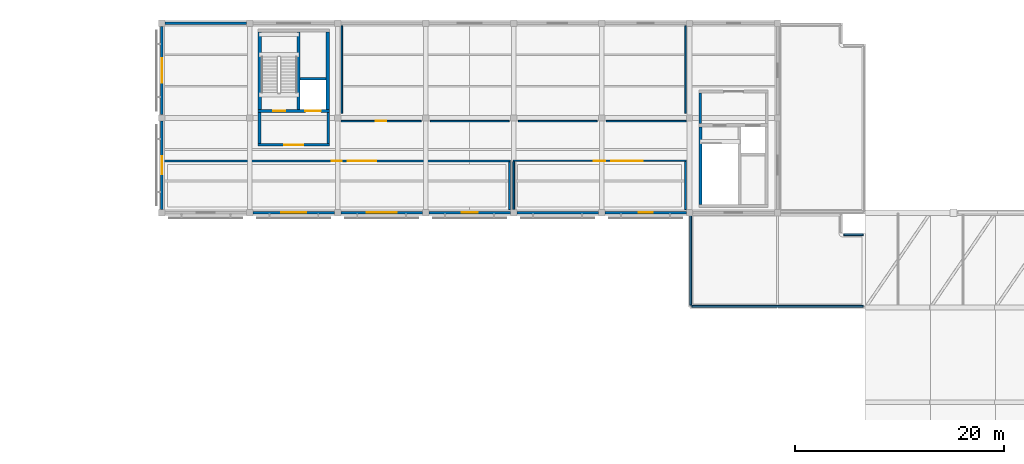
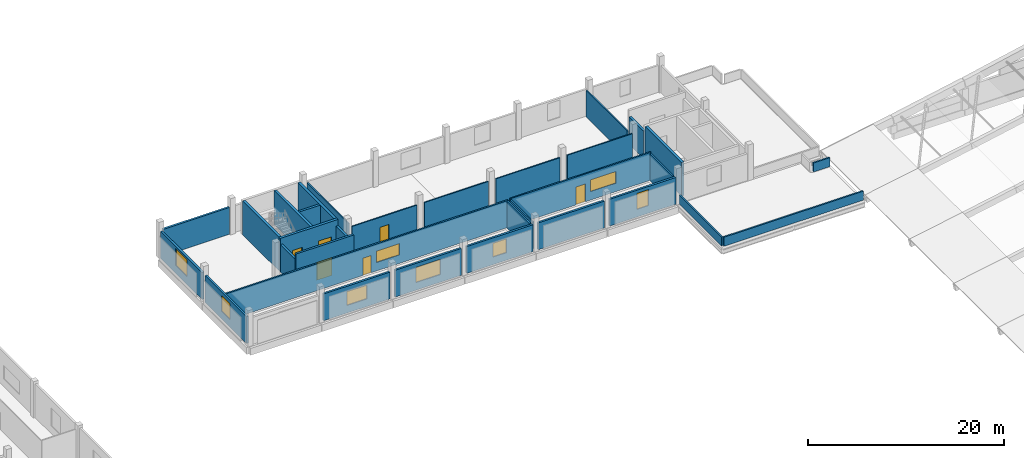
# One storey, part 18 of 34: 32 walls, 8 windows, 6 doors, 14 openings.
"""IFC4 building model written with IfcOpenShell, lengths in metres."""

from ifc_helpers import new_model, si_unit, direction, frame, frame_2d, origin, place, context, subcontext, project, spatial, rectangle, extrude, material, layer, layer_set, type_object, element, fill, save


model = new_model("IFC4")

# Units and contexts
model_context = context("Model", 3, precision=1e-05, world=origin(), true_north=direction((0.0, 1.0)))
body_context = subcontext(model_context, "Body", "Model", "MODEL_VIEW")
ifc_project = project(units=[si_unit("LENGTHUNIT", "METRE"), si_unit("AREAUNIT", "SQUARE_METRE"), si_unit("VOLUMEUNIT", "CUBIC_METRE"), si_unit("PLANEANGLEUNIT", "RADIAN"), si_unit("MASSUNIT", "GRAM", prefix="KILO")], contexts=[model_context])

# Site, building, storey
site_placement = place(None, origin())
site = spatial("IfcSite", under=ifc_project, at=site_placement, CompositionType="ELEMENT")
building_placement = place(site_placement, origin())
building = spatial("IfcBuilding", under=site, at=building_placement, Name="Khurvash Pelagic Aquarium", CompositionType="ELEMENT")
storey_placement = place(building_placement, frame((0.0, 0.0, 15.60009765625)))
storey = spatial("IfcBuildingStorey", under=building, at=storey_placement, Name="L03", CompositionType="ELEMENT", Elevation=15.60009765625)

# Wall, opening, window
ifc_material_1 = material(Name="Glass-fibre reinforced concrete C40/50", Category="concrete")
ifc_layer_1 = layer(ifc_material_1, 0.239990234375)
ifc_layer_set_1 = layer_set([ifc_layer_1], Name="Glass-fibre reinforced concrete C40/50")
wall_type_1 = type_object("IfcWallType", Name="EW-240", PredefinedType="STANDARD", material=ifc_layer_set_1)
wall_1_placement = place(storey_placement, frame((58.800048828125, 101.844970703125, 0.0), z_axis=(0.0, 0.0, 1.0), x_axis=(0.0, -1.0, 0.0)))
wall_1 = element("IfcWall", 1, at=wall_1_placement, inside=storey, type_object=wall_type_1, Name="L03 Exterior Architectural Facade Wall EW-240 0145", PredefinedType="STANDARD", context=body_context, shape_type="SweptSolid", body=[
    extrude(rectangle(XDim=8.43994140625, YDim=0.239990234375, at=frame_2d((4.219970703125, 0.0))), origin(), (0.0, 0.0, 1.0), 3.349853515625),
])
opening_1_placement = place(wall_1_placement, frame((3.070068359375, 0.0, 0.949951171875)))
opening_1 = element("IfcOpeningElement", 2, at=opening_1_placement, cuts=wall_1, Name="Opening WN-20", PredefinedType="OPENING", context=body_context, shape_type="SweptSolid", body=[
    extrude(rectangle(XDim=2.300048828125, YDim=2.14990234375, at=frame_2d((1.14990234375, 1.074951171875))), frame((0.0, 0.1298828125, 0.0), z_axis=(0.0, -1.0, 0.0), x_axis=(1.0, 0.0, 0.0)), (0.0, 0.0, 1.0), 0.260009765625),
])
ifc_material_2 = material(Name="Thermally broken aluminium and low-E glass", Category="aluminium")
window_type_1 = type_object("IfcWindowType", Name="WN-20", PartitioningType="SINGLE_PANEL", PredefinedType="WINDOW", material=ifc_material_2)
window_1_placement = place(opening_1_placement, origin())
window_1 = element("IfcWindow", 3, at=window_1_placement, inside=storey, type_object=window_type_1, Name="L03 Facade Window WN-20 0093", OverallHeight=2.14990234375, OverallWidth=2.300048828125, PartitioningType="SINGLE_PANEL", PredefinedType="WINDOW", context=body_context, shape_type="SweptSolid", body=[
    extrude(rectangle(XDim=2.300048828125, YDim=2.14990234375, at=frame_2d((1.14990234375, 1.074951171875))), frame((0.0, 0.030029296875, 0.0), z_axis=(0.0, -1.0, 0.0), x_axis=(1.0, 0.0, 0.0)), (0.0, 0.0, 1.0), 0.06005859375),
])
fill(opening_1, window_1)

wall_2_placement = place(storey_placement, frame((58.800048828125, 92.794921875, 0.0), z_axis=(0.0, 0.0, 1.0), x_axis=(0.0, -1.0, 0.0)))
wall_2 = element("IfcWall", 4, at=wall_2_placement, inside=storey, type_object=wall_type_1, Name="L03 Exterior Architectural Facade Wall EW-240 0146", PredefinedType="STANDARD", context=body_context, shape_type="SweptSolid", body=[
    extrude(rectangle(XDim=8.43994140625, YDim=0.239990234375, at=frame_2d((4.219970703125, 0.0))), origin(), (0.0, 0.0, 1.0), 3.349853515625),
])
opening_2_placement = place(wall_2_placement, frame((3.344970703125, 0.0, 0.949951171875)))
opening_2 = element("IfcOpeningElement", 5, at=opening_2_placement, cuts=wall_2, Name="Opening WN-22", PredefinedType="OPENING", context=body_context, shape_type="SweptSolid", body=[
    extrude(rectangle(XDim=1.75, YDim=1.949951171875, at=frame_2d((0.875, 0.97509765625))), frame((0.0, 0.1298828125, 0.0), z_axis=(0.0, -1.0, 0.0), x_axis=(1.0, 0.0, 0.0)), (0.0, 0.0, 1.0), 0.260009765625),
])
window_type_2 = type_object("IfcWindowType", Name="WN-22", PartitioningType="SINGLE_PANEL", PredefinedType="WINDOW", material=ifc_material_2)
window_2_placement = place(opening_2_placement, origin())
window_2 = element("IfcWindow", 6, at=window_2_placement, inside=storey, type_object=window_type_2, Name="L03 Facade Window WN-22 0094", OverallHeight=1.949951171875, OverallWidth=1.75, PartitioningType="SINGLE_PANEL", PredefinedType="WINDOW", context=body_context, shape_type="SweptSolid", body=[
    extrude(rectangle(XDim=1.75, YDim=1.949951171875, at=frame_2d((0.875, 0.97509765625))), frame((0.0, 0.030029296875, 0.0), z_axis=(0.0, -1.0, 0.0), x_axis=(1.0, 0.0, 0.0)), (0.0, 0.0, 1.0), 0.06005859375),
])
fill(opening_2, window_2)

wall_3_placement = place(storey_placement, frame((67.5048828125, 84.050048828125, 0.0), z_axis=(0.0, 0.0, 1.0), x_axis=(1.0, 0.0, 0.0)))
wall_3 = element("IfcWall", 7, at=wall_3_placement, inside=storey, type_object=wall_type_1, Name="L03 Exterior Architectural Facade Wall EW-240 0148", PredefinedType="STANDARD", context=body_context, shape_type="SweptSolid", body=[
    extrude(rectangle(XDim=7.7900390625, YDim=0.239990234375, at=frame_2d((3.89501953125, 0.0))), origin(), (0.0, 0.0, 1.0), 3.329833984375),
])
opening_3_placement = place(wall_3_placement, frame((2.719970703125, 0.0, 0.949951171875)))
opening_3 = element("IfcOpeningElement", 8, at=opening_3_placement, cuts=wall_3, Name="Opening WN-24", PredefinedType="OPENING", context=body_context, shape_type="SweptSolid", body=[
    extrude(rectangle(XDim=2.35009765625, YDim=1.699951171875, at=frame_2d((1.175048828125, 0.85009765625))), frame((0.0, 0.1298828125, 0.0), z_axis=(0.0, -1.0, 0.0), x_axis=(1.0, 0.0, 0.0)), (0.0, 0.0, 1.0), 0.260009765625),
])
window_type_3 = type_object("IfcWindowType", Name="WN-24", PartitioningType="SINGLE_PANEL", PredefinedType="WINDOW", material=ifc_material_2)
window_3_placement = place(opening_3_placement, origin())
window_3 = element("IfcWindow", 9, at=window_3_placement, inside=storey, type_object=window_type_3, Name="L03 Facade Window WN-24 0096", OverallHeight=1.699951171875, OverallWidth=2.35009765625, PartitioningType="SINGLE_PANEL", PredefinedType="WINDOW", context=body_context, shape_type="SweptSolid", body=[
    extrude(rectangle(XDim=2.35009765625, YDim=1.699951171875, at=frame_2d((1.175048828125, 0.85009765625))), frame((0.0, 0.030029296875, 0.0), z_axis=(0.0, -1.0, 0.0), x_axis=(1.0, 0.0, 0.0)), (0.0, 0.0, 1.0), 0.06005859375),
])
fill(opening_3, window_3)

wall_4_placement = place(storey_placement, frame((75.905029296875, 84.050048828125, 0.0), z_axis=(0.0, 0.0, 1.0), x_axis=(1.0, 0.0, 0.0)))
wall_4 = element("IfcWall", 10, at=wall_4_placement, inside=storey, type_object=wall_type_1, Name="L03 Exterior Architectural Facade Wall EW-240 0149", PredefinedType="STANDARD", context=body_context, shape_type="SweptSolid", body=[
    extrude(rectangle(XDim=7.7900390625, YDim=0.239990234375, at=frame_2d((3.89501953125, 0.0))), origin(), (0.0, 0.0, 1.0), 3.329833984375),
])
opening_4_placement = place(wall_4_placement, frame((2.445068359375, 0.0, 0.949951171875)))
opening_4 = element("IfcOpeningElement", 11, at=opening_4_placement, cuts=wall_4, Name="Opening WN-26", PredefinedType="OPENING", context=body_context, shape_type="SweptSolid", body=[
    extrude(rectangle(XDim=2.89990234375, YDim=1.89990234375, at=frame_2d((1.449951171875, 0.949951171875))), frame((0.0, 0.1298828125, 0.0), z_axis=(0.0, -1.0, 0.0), x_axis=(1.0, 0.0, 0.0)), (0.0, 0.0, 1.0), 0.260009765625),
])
window_type_4 = type_object("IfcWindowType", Name="WN-26", PartitioningType="SINGLE_PANEL", PredefinedType="WINDOW", material=ifc_material_2)
window_4_placement = place(opening_4_placement, origin())
window_4 = element("IfcWindow", 12, at=window_4_placement, inside=storey, type_object=window_type_4, Name="L03 Facade Window WN-26 0097", OverallHeight=1.89990234375, OverallWidth=2.89990234375, PartitioningType="SINGLE_PANEL", PredefinedType="WINDOW", context=body_context, shape_type="SweptSolid", body=[
    extrude(rectangle(XDim=2.89990234375, YDim=1.89990234375, at=frame_2d((1.449951171875, 0.949951171875))), frame((0.0, 0.030029296875, 0.0), z_axis=(0.0, -1.0, 0.0), x_axis=(1.0, 0.0, 0.0)), (0.0, 0.0, 1.0), 0.06005859375),
])
fill(opening_4, window_4)

wall_5_placement = place(storey_placement, frame((84.304931640625, 84.050048828125, 0.0), z_axis=(0.0, 0.0, 1.0), x_axis=(1.0, 0.0, 0.0)))
wall_5 = element("IfcWall", 13, at=wall_5_placement, inside=storey, type_object=wall_type_1, Name="L03 Exterior Architectural Facade Wall EW-240 0150", PredefinedType="STANDARD", context=body_context, shape_type="SweptSolid", body=[
    extrude(rectangle(XDim=7.7900390625, YDim=0.239990234375, at=frame_2d((3.89501953125, 0.0))), origin(), (0.0, 0.0, 1.0), 3.329833984375),
])
opening_5_placement = place(wall_5_placement, frame((3.1201171875, 0.0, 0.949951171875)))
opening_5 = element("IfcOpeningElement", 14, at=opening_5_placement, cuts=wall_5, Name="Opening WN-28", PredefinedType="OPENING", context=body_context, shape_type="SweptSolid", body=[
    extrude(rectangle(XDim=1.550048828125, YDim=1.699951171875, at=frame_2d((0.77490234375, 0.85009765625))), frame((0.0, 0.1298828125, 0.0), z_axis=(0.0, -1.0, 0.0), x_axis=(1.0, 0.0, 0.0)), (0.0, 0.0, 1.0), 0.260009765625),
])
window_type_5 = type_object("IfcWindowType", Name="WN-28", PartitioningType="SINGLE_PANEL", PredefinedType="WINDOW", material=ifc_material_2)
window_5_placement = place(opening_5_placement, origin())
window_5 = element("IfcWindow", 15, at=window_5_placement, inside=storey, type_object=window_type_5, Name="L03 Facade Window WN-28 0098", OverallHeight=1.699951171875, OverallWidth=1.550048828125, PartitioningType="SINGLE_PANEL", PredefinedType="WINDOW", context=body_context, shape_type="SweptSolid", body=[
    extrude(rectangle(XDim=1.550048828125, YDim=1.699951171875, at=frame_2d((0.77490234375, 0.85009765625))), frame((0.0, 0.030029296875, 0.0), z_axis=(0.0, -1.0, 0.0), x_axis=(1.0, 0.0, 0.0)), (0.0, 0.0, 1.0), 0.06005859375),
])
fill(opening_5, window_5)

# Wall
wall_6_placement = place(storey_placement, frame((92.705078125, 84.050048828125, 0.0), z_axis=(0.0, 0.0, 1.0), x_axis=(1.0, 0.0, 0.0)))
element("IfcWall", 16, at=wall_6_placement, inside=storey, type_object=wall_type_1, Name="L03 Exterior Architectural Facade Wall EW-240 0151", PredefinedType="STANDARD", context=body_context, shape_type="SweptSolid", body=[
    extrude(rectangle(XDim=7.7900390625, YDim=0.239990234375, at=frame_2d((3.89501953125, 0.0))), origin(), (0.0, 0.0, 1.0), 3.329833984375),
])

# Wall, opening, window
wall_7_placement = place(storey_placement, frame((101.10498046875, 84.050048828125, 0.0), z_axis=(0.0, 0.0, 1.0), x_axis=(1.0, 0.0, 0.0)))
wall_7 = element("IfcWall", 17, at=wall_7_placement, inside=storey, type_object=wall_type_1, Name="L03 Exterior Architectural Facade Wall EW-240 0152", PredefinedType="STANDARD", context=body_context, shape_type="SweptSolid", body=[
    extrude(rectangle(XDim=7.7900390625, YDim=0.239990234375, at=frame_2d((3.89501953125, 0.0))), origin(), (0.0, 0.0, 1.0), 3.329833984375),
])
opening_6_placement = place(wall_7_placement, frame((3.235107421875, 0.0, 0.949951171875)))
opening_6 = element("IfcOpeningElement", 18, at=opening_6_placement, cuts=wall_7, Name="Opening WN-32", PredefinedType="OPENING", context=body_context, shape_type="SweptSolid", body=[
    extrude(rectangle(XDim=1.320068359375, YDim=2.0, at=frame_2d((0.66015625, 1.0))), frame((0.0, 0.1298828125, 0.0), z_axis=(0.0, -1.0, 0.0), x_axis=(1.0, 0.0, 0.0)), (0.0, 0.0, 1.0), 0.260009765625),
])
window_type_6 = type_object("IfcWindowType", Name="WN-32", PartitioningType="SINGLE_PANEL", PredefinedType="WINDOW", material=ifc_material_2)
window_6_placement = place(opening_6_placement, origin())
window_6 = element("IfcWindow", 19, at=window_6_placement, inside=storey, type_object=window_type_6, Name="L03 Facade Window WN-32 0099", OverallHeight=2.0, OverallWidth=1.320068359375, PartitioningType="SINGLE_PANEL", PredefinedType="WINDOW", context=body_context, shape_type="SweptSolid", body=[
    extrude(rectangle(XDim=1.320068359375, YDim=2.0, at=frame_2d((0.66015625, 1.0))), frame((0.0, 0.030029296875, 0.0), z_axis=(0.0, -1.0, 0.0), x_axis=(1.0, 0.0, 0.0)), (0.0, 0.0, 1.0), 0.06005859375),
])
fill(opening_6, window_6)

# Walls
wall_8_placement = place(storey_placement, frame((66.89501953125, 102.14990234375, 0.0), z_axis=(0.0, 0.0, 1.0), x_axis=(-1.0, 0.0, 0.0)))
element("IfcWall", 20, at=wall_8_placement, inside=storey, type_object=wall_type_1, Name="L03 Exterior Architectural Facade Wall EW-240 0162", PredefinedType="STANDARD", context=body_context, shape_type="SweptSolid", body=[
    extrude(rectangle(XDim=7.7900390625, YDim=0.239990234375, at=frame_2d((3.89501953125, 0.0))), origin(), (0.0, 0.0, 1.0), 3.329833984375),
])
ifc_material_3 = material(Name="Precast concrete C40/50", Category="concrete")
ifc_layer_2 = layer(ifc_material_3, 0.179931640625)
ifc_layer_set_2 = layer_set([ifc_layer_2], Name="Precast concrete C40/50")
wall_type_2 = type_object("IfcWallType", Name="PP-180", PredefinedType="PARAPET", material=ifc_layer_set_2)
wall_9_placement = place(storey_placement, frame((125.800048828125, 75.10009765625, 0.0), z_axis=(0.0, 0.0, 1.0), x_axis=(-1.0, 0.0, 0.0)))
element("IfcWall", 21, at=wall_9_placement, inside=storey, type_object=wall_type_2, Name="L03 Roof Perimeter Parapet Wall PP-180", PredefinedType="PARAPET", context=body_context, shape_type="SweptSolid", body=[
    extrude(rectangle(XDim=16.400146484375, YDim=0.179931640625, at=frame_2d((8.2001953125, 0.0))), origin(), (0.0, 0.0, 1.0), 1.119873046875),
])
wall_10_placement = place(storey_placement, frame((109.300048828125, 75.199951171875, 0.0), z_axis=(0.0, 0.0, 1.0), x_axis=(0.0, 1.0, 0.0)))
element("IfcWall", 22, at=wall_10_placement, inside=storey, type_object=wall_type_2, Name="L03 Roof Perimeter Parapet Wall PP-180", PredefinedType="PARAPET", context=body_context, shape_type="SweptSolid", body=[
    extrude(rectangle(XDim=8.650146484375, YDim=0.179931640625, at=frame_2d((4.3251953125, 0.0))), origin(), (0.0, 0.0, 1.0), 1.119873046875),
])
wall_11_placement = place(storey_placement, frame((123.89990234375, 81.949951171875, 0.0), z_axis=(0.0, 0.0, 1.0), x_axis=(1.0, 0.0, 0.0)))
element("IfcWall", 23, at=wall_11_placement, inside=storey, type_object=wall_type_2, Name="L03 Roof Perimeter Parapet Wall PP-180", PredefinedType="PARAPET", context=body_context, shape_type="SweptSolid", body=[
    extrude(rectangle(XDim=1.900146484375, YDim=0.179931640625, at=frame_2d((0.9501953125, 0.0))), origin(), (0.0, 0.0, 1.0), 1.119873046875),
])

# Wall, opening, door
ifc_material_4 = material(Name="Moisture-resistant gypsum and steel stud", Category="steel")
ifc_layer_3 = layer(ifc_material_4, 0.139892578125)
ifc_layer_set_3 = layer_set([ifc_layer_3], Name="Moisture-resistant gypsum and steel stud")
wall_type_3 = type_object("IfcWallType", Name="PW-140", PredefinedType="PARTITIONING", material=ifc_layer_set_3)
wall_12_placement = place(storey_placement, frame((75.929931640625, 92.800048828125, 0.0), z_axis=(0.0, 0.0, 1.0), x_axis=(1.0, 0.0, 0.0)))
wall_12 = element("IfcWall", 24, at=wall_12_placement, inside=storey, type_object=wall_type_3, Name="L03 Microplastics and Marine Toxicology Lab Partition Wall PW-140", PredefinedType="PARTITIONING", context=body_context, shape_type="SweptSolid", body=[
    extrude(rectangle(XDim=7.630126953125, YDim=0.139892578125, at=frame_2d((3.81494140625, 0.0))), origin(), (0.0, 0.0, 1.0), 3.429931640625),
])
opening_7_placement = place(wall_12_placement, frame((3.304931640625, 0.0, 0.0)))
opening_7 = element("IfcOpeningElement", 25, at=opening_7_placement, cuts=wall_12, Name="Opening ID-27", PredefinedType="OPENING", context=body_context, shape_type="SweptSolid", body=[
    extrude(rectangle(XDim=1.02001953125, YDim=2.179931640625, at=frame_2d((0.510009765625, 1.08984375))), frame((0.0, 0.080078125, 0.0), z_axis=(0.0, -1.0, 0.0), x_axis=(1.0, 0.0, 0.0)), (0.0, 0.0, 1.0), 0.159912109375),
])
ifc_material_5 = material(Name="Acoustic staff room door", Category="wood")
door_type_1 = type_object("IfcDoorType", Name="ID-27", OperationType="NOTDEFINED", PredefinedType="DOOR", material=ifc_material_5)
door_1_placement = place(opening_7_placement, origin())
door_1 = element("IfcDoor", 26, at=door_1_placement, inside=storey, type_object=door_type_1, Name="DR-0205", OperationType="SINGLE_SWING_LEFT", OverallHeight=2.179931640625, OverallWidth=1.02001953125, PredefinedType="DOOR", context=body_context, shape_type="SweptSolid", body=[
    extrude(rectangle(XDim=1.02001953125, YDim=2.179931640625, at=frame_2d((0.510009765625, 1.08984375))), frame((0.0, 0.02490234375, 0.0), z_axis=(0.0, -1.0, 0.0), x_axis=(1.0, 0.0, 0.0)), (0.0, 0.0, 1.0), 0.050048828125),
])
fill(opening_7, door_1)

# Walls
for number, where, z_axis, x_axis, name in (
    (27, (84.43994140625, 92.800048828125, 0.0), (0.0, 0.0, 1.0), (1.0, 0.0, 0.0), "L03 Microplastics and Marine Toxicology Lab Partition Wall PW-140"),
    (28, (92.840087890625, 92.800048828125, 0.0), (0.0, 0.0, 1.0), (1.0, 0.0, 0.0), "L03 Microplastics and Marine Toxicology Lab Partition Wall PW-140"),
):
    element("IfcWall", number, at=place(storey_placement, frame(where, z_axis=z_axis, x_axis=x_axis)), inside=storey, type_object=wall_type_3, Name=name, PredefinedType="PARTITIONING", context=body_context, shape_type="SweptSolid", body=[
        extrude(rectangle(XDim=7.52001953125, YDim=0.139892578125, at=frame_2d((3.760009765625, 0.0))), origin(), (0.0, 0.0, 1.0), 3.429931640625),
    ])
wall_13_placement = place(storey_placement, frame((101.239990234375, 92.800048828125, 0.0), z_axis=(0.0, 0.0, 1.0), x_axis=(1.0, 0.0, 0.0)))
element("IfcWall", 29, at=wall_13_placement, inside=storey, type_object=wall_type_3, Name="L03 Microplastics and Marine Toxicology Lab Partition Wall PW-140", PredefinedType="PARTITIONING", context=body_context, shape_type="SweptSolid", body=[
    extrude(rectangle(XDim=7.630126953125, YDim=0.139892578125, at=frame_2d((3.81494140625, 0.0))), origin(), (0.0, 0.0, 1.0), 3.429931640625),
])
for number, where, z_axis, x_axis, name in (
    (30, (108.800048828125, 93.5400390625, 0.0), (0.0, 0.0, 1.0), (0.0, 1.0, 0.0), "L03 Microplastics and Marine Toxicology Lab Partition Wall PW-140"),
    (31, (76.0, 93.5400390625, 0.0), (0.0, 0.0, 1.0), (0.0, 1.0, 0.0), "L03 Microplastics and Marine Toxicology Lab Partition Wall PW-140"),
):
    element("IfcWall", number, at=place(storey_placement, frame(where, z_axis=z_axis, x_axis=x_axis)), inside=storey, type_object=wall_type_3, Name=name, PredefinedType="PARTITIONING", context=body_context, shape_type="SweptSolid", body=[
        extrude(rectangle(XDim=8.33984375, YDim=0.139892578125, at=frame_2d((4.169921875, 0.0))), origin(), (0.0, 0.0, 1.0), 3.329833984375),
    ])

# Wall, openings, door, window
ifc_material_6 = material(Name="AAC blockwork", Category="masonry")
ifc_layer_4 = layer(ifc_material_6, 0.169921875)
ifc_layer_set_4 = layer_set([ifc_layer_4], Name="AAC blockwork")
wall_type_4 = type_object("IfcWallType", Name="PW-170", PredefinedType="PARTITIONING", material=ifc_layer_set_4)
wall_14_placement = place(storey_placement, frame((92.31494140625, 89.0, 0.0), z_axis=(0.0, 0.0, 1.0), x_axis=(1.0, 0.0, 0.0)))
wall_14 = element("IfcWall", 32, at=wall_14_placement, inside=storey, type_object=wall_type_4, Name="L03 Cryopreservation and Media Prep Room Partition Wall PW-170", PredefinedType="PARTITIONING", context=body_context, shape_type="SweptSolid", body=[
    extrude(rectangle(XDim=16.570068359375, YDim=0.169921875, at=frame_2d((8.28515625, 0.0))), origin(), (0.0, 0.0, 1.0), 3.449951171875),
])
opening_8_placement = place(wall_14_placement, frame((7.7451171875, 0.0, 0.0)))
opening_8 = element("IfcOpeningElement", 33, at=opening_8_placement, cuts=wall_14, Name="Opening ID-28", PredefinedType="OPENING", context=body_context, shape_type="SweptSolid", body=[
    extrude(rectangle(XDim=1.080078125, YDim=2.219970703125, at=frame_2d((0.5400390625, 1.10986328125))), frame((0.0, 0.094970703125, 0.0), z_axis=(0.0, -1.0, 0.0), x_axis=(1.0, 0.0, 0.0)), (0.0, 0.0, 1.0), 0.18994140625),
])
opening_9_placement = place(wall_14_placement, frame((9.425048828125, 0.0, 1.0498046875)))
opening_9 = element("IfcOpeningElement", 34, at=opening_9_placement, cuts=wall_14, Name="Opening IW-06", PredefinedType="OPENING", context=body_context, shape_type="SweptSolid", body=[
    extrude(rectangle(XDim=3.0, YDim=1.449951171875, at=frame_2d((1.5, 0.72509765625))), frame((0.0, 0.094970703125, 0.0), z_axis=(0.0, -1.0, 0.0), x_axis=(1.0, 0.0, 0.0)), (0.0, 0.0, 1.0), 0.18994140625),
])
ifc_material_7 = material(Name="Acoustic wet-lab door", Category="wood")
door_type_2 = type_object("IfcDoorType", Name="ID-28", OperationType="NOTDEFINED", PredefinedType="DOOR", material=ifc_material_7)
door_2_placement = place(opening_8_placement, frame((1.080078125, 0.0, 0.0), z_axis=(0.0, 0.0, 1.0), x_axis=(-1.0, 0.0, 0.0)))
door_2 = element("IfcDoor", 35, at=door_2_placement, inside=storey, type_object=door_type_2, Name="DR-0206", OperationType="SINGLE_SWING_RIGHT", OverallHeight=2.219970703125, OverallWidth=1.080078125, PredefinedType="DOOR", context=body_context, shape_type="SweptSolid", body=[
    extrude(rectangle(XDim=1.080078125, YDim=2.219970703125, at=frame_2d((0.5400390625, 1.10986328125))), frame((0.0, 0.02490234375, 0.0), z_axis=(0.0, -1.0, 0.0), x_axis=(1.0, 0.0, 0.0)), (0.0, 0.0, 1.0), 0.050048828125),
])
fill(opening_8, door_2)
ifc_material_8 = material(Name="Acoustic laminated interior observation glazing", Category="glass")
window_type_7 = type_object("IfcWindowType", Name="IW-06", PartitioningType="SINGLE_PANEL", PredefinedType="WINDOW", material=ifc_material_8)
window_7_placement = place(opening_9_placement, origin())
window_7 = element("IfcWindow", 36, at=window_7_placement, inside=storey, type_object=window_type_7, Name="L03 Cryopreservation and Media Prep Room Observation Window IW-06", OverallHeight=1.449951171875, OverallWidth=3.0, PartitioningType="SINGLE_PANEL", PredefinedType="WINDOW", context=body_context, shape_type="SweptSolid", body=[
    extrude(rectangle(XDim=3.0, YDim=1.449951171875, at=frame_2d((1.5, 0.72509765625))), frame((0.0, 0.030029296875, 0.0), z_axis=(0.0, -1.0, 0.0), x_axis=(1.0, 0.0, 0.0)), (0.0, 0.0, 1.0), 0.06005859375),
])
fill(opening_9, window_7)

# Walls
for number, where, z_axis, x_axis, name in (
    (37, (108.800048828125, 84.3349609375, 0.0), (0.0, 0.0, 1.0), (0.0, 1.0, 0.0), "L03 Cryopreservation and Media Prep Room Partition Wall PW-170"),
    (38, (92.39990234375, 84.3349609375, 0.0), (0.0, 0.0, 1.0), (0.0, 1.0, 0.0), "L03 Cryopreservation and Media Prep Room Partition Wall PW-170"),
):
    element("IfcWall", number, at=place(storey_placement, frame(where, z_axis=z_axis, x_axis=x_axis)), inside=storey, type_object=wall_type_4, Name=name, PredefinedType="PARTITIONING", context=body_context, shape_type="SweptSolid", body=[
        extrude(rectangle(XDim=4.580078125, YDim=0.169921875, at=frame_2d((2.2900390625, 0.0))), origin(), (0.0, 0.0, 1.0), 3.329833984375),
    ])

# Wall, openings, door, window
ifc_layer_5 = layer(ifc_material_6, 0.18505859375)
ifc_layer_set_5 = layer_set([ifc_layer_5], Name="AAC blockwork")
wall_type_5 = type_object("IfcWallType", Name="PW-185", PredefinedType="PARTITIONING", material=ifc_layer_set_5)
wall_15_placement = place(storey_placement, frame((58.906982421875, 89.0, 0.0), z_axis=(0.0, 0.0, 1.0), x_axis=(1.0, 0.0, 0.0)))
wall_15 = element("IfcWall", 39, at=wall_15_placement, inside=storey, type_object=wall_type_5, Name="L03 Marine Microbiology BSL-2 Laboratory Partition Wall PW-185", PredefinedType="PARTITIONING", context=body_context, shape_type="SweptSolid", body=[
    extrude(rectangle(XDim=33.18603515625, YDim=0.18505859375, at=frame_2d((16.593017578125, 0.0))), origin(), (0.0, 0.0, 1.0), 3.349853515625),
])
opening_10_placement = place(wall_15_placement, frame((16.123046875, 0.0, 0.0)))
opening_10 = element("IfcOpeningElement", 40, at=opening_10_placement, cuts=wall_15, Name="Opening ID-26", PredefinedType="OPENING", context=body_context, shape_type="SweptSolid", body=[
    extrude(rectangle(XDim=0.93994140625, YDim=2.139892578125, at=frame_2d((0.469970703125, 1.06982421875))), frame((0.0, 0.1025390625, 0.0), z_axis=(0.0, -1.0, 0.0), x_axis=(1.0, 0.0, 0.0)), (0.0, 0.0, 1.0), 0.205078125),
])
opening_11_placement = place(wall_15_placement, frame((17.6630859375, 0.0, 1.0498046875)))
opening_11 = element("IfcOpeningElement", 41, at=opening_11_placement, cuts=wall_15, Name="Opening IW-05", PredefinedType="OPENING", context=body_context, shape_type="SweptSolid", body=[
    extrude(rectangle(XDim=2.699951171875, YDim=1.39990234375, at=frame_2d((1.35009765625, 0.699951171875))), frame((0.0, 0.1025390625, 0.0), z_axis=(0.0, -1.0, 0.0), x_axis=(1.0, 0.0, 0.0)), (0.0, 0.0, 1.0), 0.205078125),
])
ifc_material_9 = material(Name="High-pressure laminate store door", Category="wood")
door_type_3 = type_object("IfcDoorType", Name="ID-26", OperationType="NOTDEFINED", PredefinedType="DOOR", material=ifc_material_9)
door_3_placement = place(opening_10_placement, frame((0.93994140625, 0.0, 0.0), z_axis=(0.0, 0.0, 1.0), x_axis=(-1.0, 0.0, 0.0)))
door_3 = element("IfcDoor", 42, at=door_3_placement, inside=storey, type_object=door_type_3, Name="DR-0204", OperationType="SINGLE_SWING_RIGHT", OverallHeight=2.139892578125, OverallWidth=0.93994140625, PredefinedType="DOOR", context=body_context, shape_type="SweptSolid", body=[
    extrude(rectangle(XDim=0.93994140625, YDim=2.139892578125, at=frame_2d((0.469970703125, 1.06982421875))), frame((0.0, 0.02490234375, 0.0), z_axis=(0.0, -1.0, 0.0), x_axis=(1.0, 0.0, 0.0)), (0.0, 0.0, 1.0), 0.050048828125),
])
fill(opening_10, door_3)
window_type_8 = type_object("IfcWindowType", Name="IW-05", PartitioningType="SINGLE_PANEL", PredefinedType="WINDOW", material=ifc_material_8)
window_8_placement = place(opening_11_placement, origin())
window_8 = element("IfcWindow", 43, at=window_8_placement, inside=storey, type_object=window_type_8, Name="L03 Marine Microbiology BSL-2 Laboratory Observation Window IW-05", OverallHeight=1.39990234375, OverallWidth=2.699951171875, PartitioningType="SINGLE_PANEL", PredefinedType="WINDOW", context=body_context, shape_type="SweptSolid", body=[
    extrude(rectangle(XDim=2.699951171875, YDim=1.39990234375, at=frame_2d((1.35009765625, 0.699951171875))), frame((0.0, 0.030029296875, 0.0), z_axis=(0.0, -1.0, 0.0), x_axis=(1.0, 0.0, 0.0)), (0.0, 0.0, 1.0), 0.06005859375),
])
fill(opening_11, window_8)

# Wall
wall_16_placement = place(storey_placement, frame((92.0, 84.343017578125, 0.0), z_axis=(0.0, 0.0, 1.0), x_axis=(0.0, 1.0, 0.0)))
element("IfcWall", 44, at=wall_16_placement, inside=storey, type_object=wall_type_5, Name="L03 Marine Microbiology BSL-2 Laboratory Partition Wall PW-185", PredefinedType="PARTITIONING", context=body_context, shape_type="SweptSolid", body=[
    extrude(rectangle(XDim=4.56396484375, YDim=0.18505859375, at=frame_2d((2.281982421875, 0.0))), origin(), (0.0, 0.0, 1.0), 3.329833984375),
])

# Wall, opening, door
ifc_layer_6 = layer(ifc_material_6, 0.25)
ifc_layer_set_6 = layer_set([ifc_layer_6], Name="AAC blockwork")
wall_type_6 = type_object("IfcWallType", Name="PW-250", PredefinedType="PARTITIONING", material=ifc_layer_set_6)
wall_17_placement = place(storey_placement, frame((68.0, 90.52490234375, 0.0), z_axis=(0.0, 0.0, 1.0), x_axis=(1.0, 0.0, 0.0)))
wall_17 = element("IfcWall", 45, at=wall_17_placement, inside=storey, type_object=wall_type_6, Name="L03 Core C4 Lobby Front Fire Wall PW-250", PredefinedType="PARTITIONING", context=body_context, shape_type="SweptSolid", body=[
    extrude(rectangle(XDim=6.800048828125, YDim=0.25, at=frame_2d((3.39990234375, 0.0))), origin(), (0.0, 0.0, 1.0), 4.199951171875),
])
opening_12_placement = place(wall_17_placement, frame((2.5, 0.0, 0.0)))
opening_12 = element("IfcOpeningElement", 46, at=opening_12_placement, cuts=wall_17, Name="Opening FD-02", PredefinedType="OPENING", context=body_context, shape_type="SweptSolid", body=[
    extrude(rectangle(XDim=1.800048828125, YDim=2.25, at=frame_2d((0.89990234375, 1.125))), frame((0.0, 0.135009765625, 0.0), z_axis=(0.0, -1.0, 0.0), x_axis=(1.0, 0.0, 0.0)), (0.0, 0.0, 1.0), 0.27001953125),
])
ifc_material_10 = material(Name="Galvanised steel double fire door", Category="steel")
door_type_4 = type_object("IfcDoorType", Name="FD-02", OperationType="DOUBLE_DOOR_SINGLE_SWING", PredefinedType="DOOR", material=ifc_material_10)
door_4_placement = place(opening_12_placement, frame((1.800048828125, 0.0, 0.0), z_axis=(0.0, 0.0, 1.0), x_axis=(-1.0, 0.0, 0.0)))
door_4 = element("IfcDoor", 47, at=door_4_placement, inside=storey, type_object=door_type_4, Name="DR-0210", OperationType="DOUBLE_DOOR_SINGLE_SWING", OverallHeight=2.25, OverallWidth=1.800048828125, PredefinedType="DOOR", context=body_context, shape_type="SweptSolid", body=[
    extrude(rectangle(XDim=1.800048828125, YDim=2.25, at=frame_2d((0.89990234375, 1.125))), frame((0.0, 0.02490234375, 0.0), z_axis=(0.0, -1.0, 0.0), x_axis=(1.0, 0.0, 0.0)), (0.0, 0.0, 1.0), 0.050048828125),
])
fill(opening_12, door_4)

# Walls
for number, where, z_axis, x_axis, name in (
    (48, (68.125, 90.64990234375, 0.0), (0.0, 0.0, 1.0), (0.0, 1.0, 0.0), "L03 Core C4 Lobby West Fire Wall PW-250"),
    (49, (74.675048828125, 90.64990234375, 0.0), (0.0, 0.0, 1.0), (0.0, 1.0, 0.0), "L03 Core C4 Lobby East Fire Wall PW-250"),
):
    element("IfcWall", number, at=place(storey_placement, frame(where, z_axis=z_axis, x_axis=x_axis)), inside=storey, type_object=wall_type_6, Name=name, PredefinedType="PARTITIONING", context=body_context, shape_type="SweptSolid", body=[
        extrude(rectangle(XDim=2.9501953125, YDim=0.25, at=frame_2d((1.47509765625, 0.0))), origin(), (0.0, 0.0, 1.0), 3.429931640625),
    ])
wall_18_placement = place(storey_placement, frame((110.22509765625, 92.550048828125, 0.0), z_axis=(0.0, 0.0, 1.0), x_axis=(0.0, 1.0, 0.0)))
element("IfcWall", 50, at=wall_18_placement, inside=storey, type_object=wall_type_6, Name="L03 Core C6 Lobby West Fire Wall PW-250", PredefinedType="PARTITIONING", context=body_context, shape_type="SweptSolid", body=[
    extrude(rectangle(XDim=2.949951171875, YDim=0.25, at=frame_2d((1.47509765625, 0.0))), origin(), (0.0, 0.0, 1.0), 3.429931640625),
])
ifc_material_11 = material(Name="Concrete C40/50", Category="concrete")
ifc_layer_7 = layer(ifc_material_11, 0.27490234375)
ifc_layer_set_7 = layer_set([ifc_layer_7], Name="Concrete C40/50")
wall_type_7 = type_object("IfcWallType", Name="SW-275", PredefinedType="SHEAR", material=ifc_layer_set_7)
wall_19_placement = place(storey_placement, frame((72.0, 96.837890625, 0.0), z_axis=(0.0, 0.0, 1.0), x_axis=(1.0, 0.0, 0.0)))
element("IfcWall", 51, at=wall_19_placement, inside=storey, type_object=wall_type_7, Name="L03 Lift GL-01 Shaft Rear Shear Wall SW-275", PredefinedType="SHEAR", context=body_context, shape_type="SweptSolid", body=[
    extrude(rectangle(XDim=2.5, YDim=0.27490234375, at=frame_2d((1.25, 0.0))), origin(), (0.0, 0.0, 1.0), 4.199951171875),
])

# Wall, openings, doors
ifc_layer_8 = layer(ifc_material_11, 0.300048828125)
ifc_layer_set_8 = layer_set([ifc_layer_8], Name="Concrete C40/50")
wall_type_8 = type_object("IfcWallType", Name="SW-300", PredefinedType="SHEAR", material=ifc_layer_set_8)
wall_20_placement = place(storey_placement, frame((68.0, 93.75, 0.0), z_axis=(0.0, 0.0, 1.0), x_axis=(1.0, 0.0, 0.0)))
wall_20 = element("IfcWall", 52, at=wall_20_placement, inside=storey, type_object=wall_type_8, Name="L03 Core C4 South Shear Wall SW-300", PredefinedType="SHEAR", context=body_context, shape_type="SweptSolid", body=[
    extrude(rectangle(XDim=6.800048828125, YDim=0.300048828125, at=frame_2d((3.39990234375, 0.0))), origin(), (0.0, 0.0, 1.0), 4.199951171875),
])
opening_13_placement = place(wall_20_placement, frame((1.425048828125, 0.0, 0.0)))
opening_13 = element("IfcOpeningElement", 53, at=opening_13_placement, cuts=wall_20, Name="Opening FD-01", PredefinedType="OPENING", context=body_context, shape_type="SweptSolid", body=[
    extrude(rectangle(XDim=1.14990234375, YDim=2.199951171875, at=frame_2d((0.574951171875, 1.10009765625))), frame((0.0, 0.16015625, 0.0), z_axis=(0.0, -1.0, 0.0), x_axis=(1.0, 0.0, 0.0)), (0.0, 0.0, 1.0), 0.320068359375),
])
opening_14_placement = place(wall_20_placement, frame((4.5, 0.0, 0.0)))
opening_14 = element("IfcOpeningElement", 54, at=opening_14_placement, cuts=wall_20, Name="Opening LD-03", PredefinedType="OPENING", context=body_context, shape_type="SweptSolid", body=[
    extrude(rectangle(XDim=1.5, YDim=2.300048828125, at=frame_2d((0.75, 1.14990234375))), frame((0.0, 0.16015625, 0.0), z_axis=(0.0, -1.0, 0.0), x_axis=(1.0, 0.0, 0.0)), (0.0, 0.0, 1.0), 0.320068359375),
])
ifc_material_12 = material(Name="Galvanised steel fire door", Category="steel")
door_type_5 = type_object("IfcDoorType", Name="FD-01", OperationType="NOTDEFINED", PredefinedType="DOOR", material=ifc_material_12)
door_5_placement = place(opening_13_placement, origin())
door_5 = element("IfcDoor", 55, at=door_5_placement, inside=storey, type_object=door_type_5, Name="DR-0175", OperationType="SINGLE_SWING_LEFT", OverallHeight=2.199951171875, OverallWidth=1.14990234375, PredefinedType="DOOR", context=body_context, shape_type="SweptSolid", body=[
    extrude(rectangle(XDim=1.14990234375, YDim=2.199951171875, at=frame_2d((0.574951171875, 1.10009765625))), frame((0.0, 0.02490234375, 0.0), z_axis=(0.0, -1.0, 0.0), x_axis=(1.0, 0.0, 0.0)), (0.0, 0.0, 1.0), 0.050048828125),
])
fill(opening_13, door_5)
ifc_material_13 = material(Name="Brushed stainless steel 316 goods lift landing door", Category="steel")
door_type_6 = type_object("IfcDoorType", Name="LD-03", OperationType="DOUBLE_DOOR_SLIDING", PredefinedType="DOOR", material=ifc_material_13)
door_6_placement = place(opening_14_placement, origin())
door_6 = element("IfcDoor", 56, at=door_6_placement, inside=storey, type_object=door_type_6, Name="DR-0181", OperationType="DOUBLE_DOOR_SLIDING", OverallHeight=2.300048828125, OverallWidth=1.5, PredefinedType="DOOR", context=body_context, shape_type="SweptSolid", body=[
    extrude(rectangle(XDim=1.5, YDim=2.300048828125, at=frame_2d((0.75, 1.14990234375))), frame((0.0, 0.02490234375, 0.0), z_axis=(0.0, -1.0, 0.0), x_axis=(1.0, 0.0, 0.0)), (0.0, 0.0, 1.0), 0.050048828125),
])
fill(opening_14, door_6)

# Walls
for number, where, z_axis, x_axis, name in (
    (57, (68.14990234375, 93.89990234375, 0.0), (0.0, 0.0, 1.0), (0.0, 1.0, 0.0), "L03 Core C4 West Shear Wall SW-300"),
    (58, (74.64990234375, 93.89990234375, 0.0), (0.0, 0.0, 1.0), (0.0, 1.0, 0.0), "L03 Core C4 East Shear Wall SW-300"),
    (59, (71.85009765625, 93.89990234375, 0.0), (0.0, 0.0, 1.0), (0.0, 1.0, 0.0), "L03 Core C4 Divider Shear Wall SW-300"),
):
    element("IfcWall", number, at=place(storey_placement, frame(where, z_axis=z_axis, x_axis=x_axis)), inside=storey, type_object=wall_type_8, Name=name, PredefinedType="SHEAR", context=body_context, shape_type="SweptSolid", body=[
        extrude(rectangle(XDim=7.400146484375, YDim=0.300048828125, at=frame_2d((3.7001953125, 0.0))), origin(), (0.0, 0.0, 1.0), 4.199951171875),
    ])
wall_21_placement = place(storey_placement, frame((110.25, 84.85009765625, 0.0), z_axis=(0.0, 0.0, 1.0), x_axis=(0.0, 1.0, 0.0)))
element("IfcWall", 60, at=wall_21_placement, inside=storey, type_object=wall_type_8, Name="L03 Core C6 West Shear Wall SW-300", PredefinedType="SHEAR", context=body_context, shape_type="SweptSolid", body=[
    extrude(rectangle(XDim=7.39990234375, YDim=0.300048828125, at=frame_2d((3.699951171875, 0.0))), origin(), (0.0, 0.0, 1.0), 4.199951171875),
])

save(model, "model.ifc")
